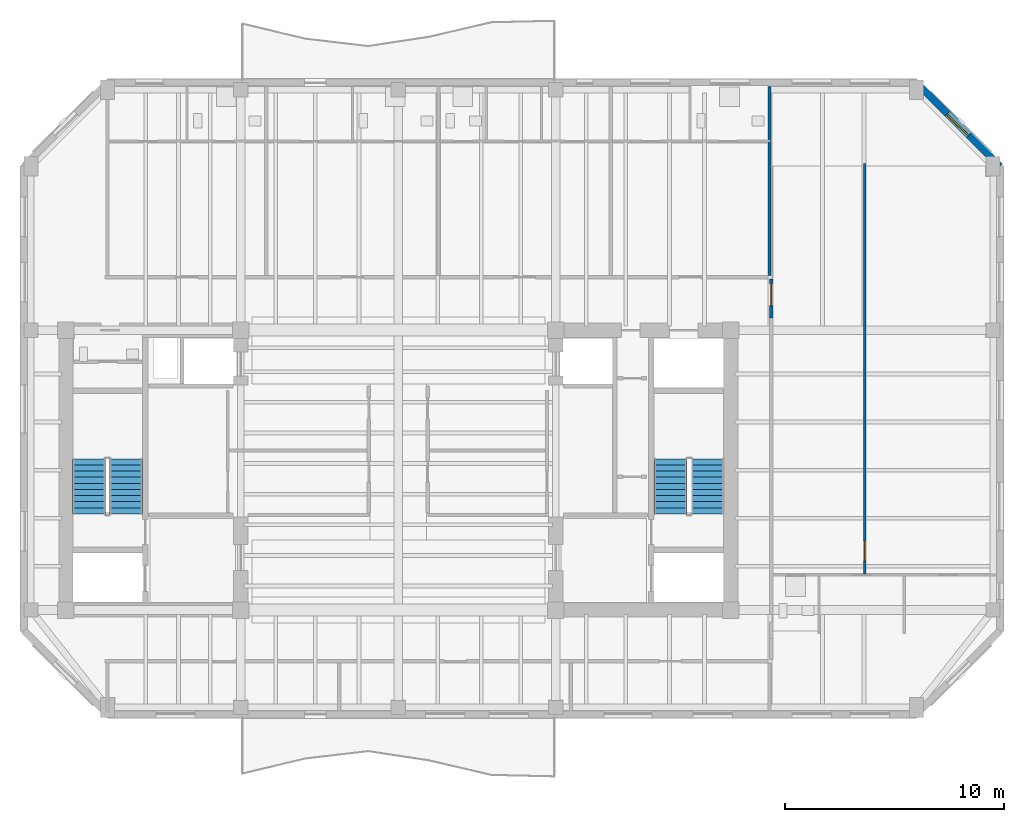
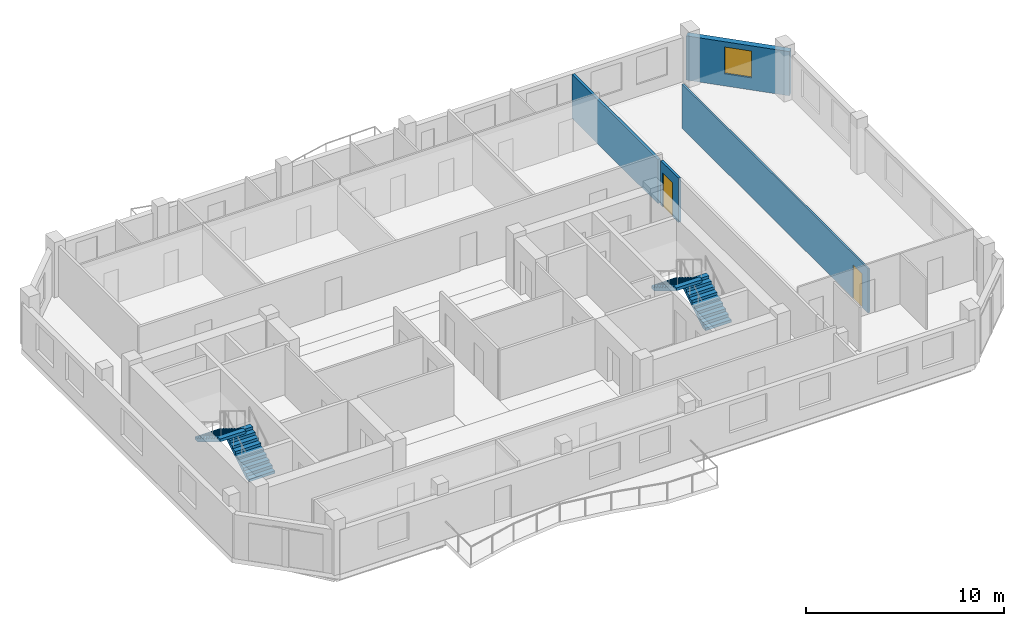
# One storey, part 6 of 9: 4 stair flights, 4 walls, 2 doors, 1 window, 3 openings, 2 elements without a shape of their own.
"""IFC4 building model written with IfcOpenShell, lengths in metres."""

from ifc_helpers import new_model, si_unit, direction, frame, frame_2d, origin, place, context, subcontext, project, spatial, polyline, rectangle, outline, extrude, material, layer, layer_set, type_object, element, fill, aggregate, save


model = new_model("IFC4")

# Units and contexts
model_context = context("Model", 3, precision=1e-05, world=origin(), true_north=direction((0.0, 1.0)))
body_context = subcontext(model_context, "Body", "Model", "MODEL_VIEW")
ifc_project = project(units=[si_unit("LENGTHUNIT", "METRE"), si_unit("AREAUNIT", "SQUARE_METRE"), si_unit("VOLUMEUNIT", "CUBIC_METRE"), si_unit("PLANEANGLEUNIT", "RADIAN"), si_unit("MASSUNIT", "GRAM", prefix="KILO")], contexts=[model_context])

# Site, building, storey
site_placement = place(None, origin())
site = spatial("IfcSite", under=ifc_project, at=site_placement, CompositionType="ELEMENT")
building_placement = place(site_placement, origin())
building = spatial("IfcBuilding", under=site, at=building_placement, Name="Kranthara Brick Stack", CompositionType="ELEMENT")
storey_placement = place(building_placement, frame((0.0, 0.0, 261.89990234375)))
storey = spatial("IfcBuildingStorey", under=building, at=storey_placement, Name="L69", CompositionType="ELEMENT", Elevation=261.89990234375)

# Wall, opening, window
ifc_material_1 = material(Name="Warm buff clay brick masonry M15", Category="masonry")
ifc_layer_1 = layer(ifc_material_1, 0.320068359375)
ifc_layer_set_1 = layer_set([ifc_layer_1], Name="Warm buff clay brick masonry M15")
wall_type_1 = type_object("IfcWallType", Name="WL-BRK-UPPR-320", PredefinedType="STANDARD", material=ifc_layer_set_1)
wall_1_placement = place(storey_placement, frame((51.699951171875, 44.919921875, 0.0), z_axis=(0.0, 0.0, 1.0), x_axis=(0.70712937715, -0.707084184501, 0.0)))
wall_1 = element("IfcWall", 1, at=wall_1_placement, inside=storey, type_object=wall_type_1, Name="L69 Exterior Brick Facade Wall NE 1", PredefinedType="STANDARD", context=body_context, shape_type="SweptSolid", body=[
    extrude(rectangle(XDim=5.402099609375, YDim=0.320068359375, at=frame_2d((2.701171875, 0.0))), origin(), (0.0, 0.0, 1.0), 2.72509765625),
])
opening_1_placement = place(wall_1_placement, frame((2.0009765625, 0.0, 0.75)))
opening_1 = element("IfcOpeningElement", 2, at=opening_1_placement, cuts=wall_1, Name="Opening WN10", PredefinedType="OPENING", context=body_context, shape_type="SweptSolid", body=[
    extrude(rectangle(XDim=1.39990234375, YDim=1.64990234375, at=frame_2d((0.699951171875, 0.824951171875))), frame((0.0, 0.169921875, 0.0), z_axis=(0.0, -1.0, 0.0), x_axis=(1.0, 0.0, 0.0)), (0.0, 0.0, 1.0), 0.340087890625),
])
ifc_material_2 = material(Name="Double-glazed low-E solar control glass", Category="glass")
window_type = type_object("IfcWindowType", Name="WN-CHM-1400x1750", PartitioningType="SINGLE_PANEL", PredefinedType="WINDOW", material=ifc_material_2)
window_placement = place(opening_1_placement, origin())
window = element("IfcWindow", 3, at=window_placement, inside=storey, type_object=window_type, Name="L69 NE Chamfer Corner Window", OverallHeight=1.64990234375, OverallWidth=1.39990234375, PartitioningType="SINGLE_PANEL", PredefinedType="WINDOW", context=body_context, shape_type="SweptSolid", body=[
    extrude(rectangle(XDim=1.39990234375, YDim=1.64990234375, at=frame_2d((0.699951171875, 0.824951171875))), frame((0.0, -0.010009765625, 0.0), z_axis=(0.0, -1.0, 0.0), x_axis=(1.0, 0.0, 0.0)), (0.0, 0.0, 1.0), 0.06005859375),
])
fill(opening_1, window)

# Wall, opening, door
ifc_material_3 = material(Name="Moisture-resistant wet-room partition", Category="other")
ifc_layer_2 = layer(ifc_material_3, 0.10009765625)
ifc_layer_set_2 = layer_set([ifc_layer_2], Name="Moisture-resistant wet-room partition")
wall_type_2 = type_object("IfcWallType", Name="WL-PART-100", PredefinedType="PARTITIONING", material=ifc_layer_set_2)
wall_2_placement = place(storey_placement, frame((49.3291015625, 22.455078125, 0.0), z_axis=(0.0, 0.0, 1.0), x_axis=(0.0, 1.0, 0.0)))
wall_2 = element("IfcWall", 4, at=wall_2_placement, inside=storey, type_object=wall_type_2, Name="L69 Interior Partition 038", PredefinedType="PARTITIONING", context=body_context, shape_type="SweptSolid", body=[
    extrude(rectangle(XDim=18.764892578125, YDim=0.10009765625, at=frame_2d((9.38232421875, 0.0))), origin(), (0.0, 0.0, 1.0), 2.72509765625),
])
opening_2_placement = place(wall_2_placement, frame((0.60498046875, 0.0, 0.0)))
opening_2 = element("IfcOpeningElement", 5, at=opening_2_placement, cuts=wall_2, Name="Opening D15", PredefinedType="OPENING", context=body_context, shape_type="SweptSolid", body=[
    extrude(rectangle(XDim=0.89990234375, YDim=2.050048828125, at=frame_2d((0.449951171875, 1.02490234375))), frame((0.0, 0.06005859375, 0.0), z_axis=(0.0, -1.0, 0.0), x_axis=(1.0, 0.0, 0.0)), (0.0, 0.0, 1.0), 0.1201171875),
])
ifc_material_4 = material(Name="Solid-core hardwood timber leaf in steel frame", Category="steel")
door_type_1 = type_object("IfcDoorType", Name="DR-INT-900", OperationType="NOTDEFINED", PredefinedType="DOOR", material=ifc_material_4)
door_1_placement = place(opening_2_placement, origin())
door_1 = element("IfcDoor", 6, at=door_1_placement, inside=storey, type_object=door_type_1, Name="L69 Unit L69E Study 27", OperationType="SINGLE_SWING_LEFT", OverallHeight=2.050048828125, OverallWidth=0.89990234375, PredefinedType="DOOR", context=body_context, shape_type="SweptSolid", body=[
    extrude(rectangle(XDim=0.89990234375, YDim=2.050048828125, at=frame_2d((0.449951171875, 1.02490234375))), frame((0.0, 0.02490234375, 0.0), z_axis=(0.0, -1.0, 0.0), x_axis=(1.0, 0.0, 0.0)), (0.0, 0.0, 1.0), 0.050048828125),
])
fill(opening_2, door_1)

# Wall
ifc_material_5 = material(Name="Fire-rated gypsum board partition", Category="other")
ifc_layer_3 = layer(ifc_material_5, 0.14990234375)
ifc_layer_set_3 = layer_set([ifc_layer_3], Name="Fire-rated gypsum board partition")
wall_type_3 = type_object("IfcWallType", Name="WL-PART-150", PredefinedType="PARTITIONING", material=ifc_layer_set_3)
wall_3_placement = place(storey_placement, frame((44.97998046875, 36.10009765625, 0.0), z_axis=(0.0, 0.0, 1.0), x_axis=(0.0, 1.0, 0.0)))
element("IfcWall", 7, at=wall_3_placement, inside=storey, type_object=wall_type_3, Name="L69 Interior Partition 031", PredefinedType="PARTITIONING", context=body_context, shape_type="SweptSolid", body=[
    extrude(rectangle(XDim=8.65478515625, YDim=0.14990234375, at=frame_2d((4.327392578125, 0.0))), origin(), (0.0, 0.0, 1.0), 2.72509765625),
])

# Wall, opening, door
wall_4_placement = place(storey_placement, frame((45.050048828125, 34.14990234375, 0.0), z_axis=(0.0, 0.0, 1.0), x_axis=(0.0, 1.0, 0.0)))
wall_4 = element("IfcWall", 8, at=wall_4_placement, inside=storey, type_object=wall_type_3, Name="L69 Interior Partition 035", PredefinedType="PARTITIONING", context=body_context, shape_type="SweptSolid", body=[
    extrude(rectangle(XDim=1.7900390625, YDim=0.14990234375, at=frame_2d((0.89501953125, 0.0))), origin(), (0.0, 0.0, 1.0), 2.72509765625),
])
opening_3_placement = place(wall_4_placement, frame((0.580078125, 0.0, 0.0)))
opening_3 = element("IfcOpeningElement", 9, at=opening_3_placement, cuts=wall_4, Name="Opening D08", PredefinedType="OPENING", context=body_context, shape_type="SweptSolid", body=[
    extrude(rectangle(XDim=1.0, YDim=2.10009765625, at=frame_2d((0.5, 1.050048828125))), frame((0.0, 0.0849609375, 0.0), z_axis=(0.0, -1.0, 0.0), x_axis=(1.0, 0.0, 0.0)), (0.0, 0.0, 1.0), 0.169921875),
])
ifc_material_6 = material(Name="Solid-core hardwood timber leaf in steel frame", Category="steel")
door_type_2 = type_object("IfcDoorType", Name="DR-FD-1000", OperationType="NOTDEFINED", PredefinedType="DOOR", material=ifc_material_6)
door_2_placement = place(opening_3_placement, origin())
door_2 = element("IfcDoor", 10, at=door_2_placement, inside=storey, type_object=door_type_2, Name="L69 Unit L69E Entrance 26", OperationType="SINGLE_SWING_RIGHT", OverallHeight=2.10009765625, OverallWidth=1.0, PredefinedType="DOOR", context=body_context, shape_type="SweptSolid", body=[
    extrude(rectangle(XDim=1.0, YDim=2.10009765625, at=frame_2d((0.5, 1.050048828125))), frame((0.0, 0.02490234375, 0.0), z_axis=(0.0, -1.0, 0.0), x_axis=(1.0, 0.0, 0.0)), (0.0, 0.0, 1.0), 0.050048828125),
])
fill(opening_3, door_2)

# Stair, stair flights
ifc_material_7 = material(Name="Concrete C45/55", Category="concrete")
stair_type = type_object("IfcStairType", Name="ST-CORE-20R", PredefinedType="HALF_TURN_STAIR", material=ifc_material_7)
stair_1_placement = place(storey_placement, origin())
stair_1 = element("IfcStair", 11, at=stair_1_placement, inside=storey, type_object=stair_type, Name="L69 West Core Protected Exit Stair ST01", PredefinedType="HALF_TURN_STAIR")
ifc_material_8 = material(Name="Concrete C45/55", Category="concrete")
stair_flight_type = type_object("IfcStairFlightType", Name="SFL-RC-20R", PredefinedType="STRAIGHT", material=ifc_material_8)
stair_flight_1_placement = place(storey_placement, frame((15.550048828125, 25.199951171875, 0.0), z_axis=(0.0, 0.0, 1.0), x_axis=(0.0, 1.0, 0.0)))
stair_flight_1 = element("IfcStairFlight", 12, at=stair_flight_1_placement, type_object=stair_flight_type, Name="ST01 flight 1", NumberOfRisers=10, NumberOfTreads=9, PredefinedType="STRAIGHT", RiserHeight=0.17, TreadLength=0.28, context=body_context, shape_type="SweptSolid", body=[
    extrude(outline(polyline([(0.0, 0.0), (0.0, 0.169921875), (0.280029296875, 0.169921875), (0.280029296875, 0.340087890625), (0.56005859375, 0.340087890625), (0.56005859375, 0.510009765625), (0.840087890625, 0.510009765625), (0.840087890625, 0.679931640625), (1.1201171875, 0.679931640625), (1.1201171875, 0.85009765625), (1.39990234375, 0.85009765625), (1.39990234375, 1.02001953125), (1.679931640625, 1.02001953125), (1.679931640625, 1.18994140625), (1.9599609375, 1.18994140625), (1.9599609375, 1.360107421875), (2.239990234375, 1.360107421875), (2.239990234375, 1.530029296875), (2.52001953125, 1.530029296875), (2.52001953125, 1.699951171875), (2.52001953125, 1.354736328125), (0.288818359375, 0.0), (0.0, 0.0)])), frame((0.0, 0.75, 0.0), z_axis=(0.0, -1.0, 0.0), x_axis=(1.0, 0.0, 0.0)), (0.0, 0.0, 1.0), 1.5),
])
stair_flight_2_placement = place(storey_placement, frame((13.85009765625, 27.719970703125, 1.7001953125), z_axis=(0.0, 0.0, 1.0), x_axis=(0.0, -1.0, 0.0)))
stair_flight_2 = element("IfcStairFlight", 13, at=stair_flight_2_placement, type_object=stair_flight_type, Name="ST01 flight 2", NumberOfRisers=10, NumberOfTreads=9, PredefinedType="STRAIGHT", RiserHeight=0.17, TreadLength=0.28, context=body_context, shape_type="SweptSolid", body=[
    extrude(outline(polyline([(0.0, 0.0), (0.0, 0.169921875), (0.280029296875, 0.169921875), (0.280029296875, 0.340087890625), (0.56005859375, 0.340087890625), (0.56005859375, 0.510009765625), (0.840087890625, 0.510009765625), (0.840087890625, 0.679931640625), (1.1201171875, 0.679931640625), (1.1201171875, 0.85009765625), (1.39990234375, 0.85009765625), (1.39990234375, 1.02001953125), (1.679931640625, 1.02001953125), (1.679931640625, 1.18994140625), (1.9599609375, 1.18994140625), (1.9599609375, 1.360107421875), (2.239990234375, 1.360107421875), (2.239990234375, 1.530029296875), (2.52001953125, 1.530029296875), (2.52001953125, 1.699951171875), (2.52001953125, 1.354736328125), (0.288818359375, 0.0), (0.0, 0.0)])), frame((0.0, 0.75, 0.0), z_axis=(0.0, -1.0, 0.0), x_axis=(1.0, 0.0, 0.0)), (0.0, 0.0, 1.0), 1.5),
])
aggregate(stair_1, [stair_flight_1, stair_flight_2])

stair_2_placement = place(storey_placement, origin())
stair_2 = element("IfcStair", 14, at=stair_2_placement, inside=storey, type_object=stair_type, Name="L69 East Core Protected Exit Stair ST02", PredefinedType="HALF_TURN_STAIR")
stair_flight_3_placement = place(storey_placement, frame((42.14990234375, 25.199951171875, 0.0), z_axis=(0.0, 0.0, 1.0), x_axis=(0.0, 1.0, 0.0)))
stair_flight_3 = element("IfcStairFlight", 15, at=stair_flight_3_placement, type_object=stair_flight_type, Name="ST02 flight 1", NumberOfRisers=10, NumberOfTreads=9, PredefinedType="STRAIGHT", RiserHeight=0.17, TreadLength=0.28, context=body_context, shape_type="SweptSolid", body=[
    extrude(outline(polyline([(0.0, 0.0), (0.0, 0.169921875), (0.280029296875, 0.169921875), (0.280029296875, 0.340087890625), (0.56005859375, 0.340087890625), (0.56005859375, 0.510009765625), (0.840087890625, 0.510009765625), (0.840087890625, 0.679931640625), (1.1201171875, 0.679931640625), (1.1201171875, 0.85009765625), (1.39990234375, 0.85009765625), (1.39990234375, 1.02001953125), (1.679931640625, 1.02001953125), (1.679931640625, 1.18994140625), (1.9599609375, 1.18994140625), (1.9599609375, 1.360107421875), (2.239990234375, 1.360107421875), (2.239990234375, 1.530029296875), (2.52001953125, 1.530029296875), (2.52001953125, 1.699951171875), (2.52001953125, 1.354736328125), (0.288818359375, 0.0), (0.0, 0.0)])), frame((0.0, 0.75, 0.0), z_axis=(0.0, -1.0, 0.0), x_axis=(1.0, 0.0, 0.0)), (0.0, 0.0, 1.0), 1.5),
])
stair_flight_4_placement = place(storey_placement, frame((40.449951171875, 27.719970703125, 1.7001953125), z_axis=(0.0, 0.0, 1.0), x_axis=(0.0, -1.0, 0.0)))
stair_flight_4 = element("IfcStairFlight", 16, at=stair_flight_4_placement, type_object=stair_flight_type, Name="ST02 flight 2", NumberOfRisers=10, NumberOfTreads=9, PredefinedType="STRAIGHT", RiserHeight=0.17, TreadLength=0.28, context=body_context, shape_type="SweptSolid", body=[
    extrude(outline(polyline([(0.0, 0.0), (0.0, 0.169921875), (0.280029296875, 0.169921875), (0.280029296875, 0.340087890625), (0.56005859375, 0.340087890625), (0.56005859375, 0.510009765625), (0.840087890625, 0.510009765625), (0.840087890625, 0.679931640625), (1.1201171875, 0.679931640625), (1.1201171875, 0.85009765625), (1.39990234375, 0.85009765625), (1.39990234375, 1.02001953125), (1.679931640625, 1.02001953125), (1.679931640625, 1.18994140625), (1.9599609375, 1.18994140625), (1.9599609375, 1.360107421875), (2.239990234375, 1.360107421875), (2.239990234375, 1.530029296875), (2.52001953125, 1.530029296875), (2.52001953125, 1.699951171875), (2.52001953125, 1.354736328125), (0.288818359375, 0.0), (0.0, 0.0)])), frame((0.0, 0.75, 0.0), z_axis=(0.0, -1.0, 0.0), x_axis=(1.0, 0.0, 0.0)), (0.0, 0.0, 1.0), 1.5),
])
aggregate(stair_2, [stair_flight_3, stair_flight_4])

save(model, "model.ifc")
